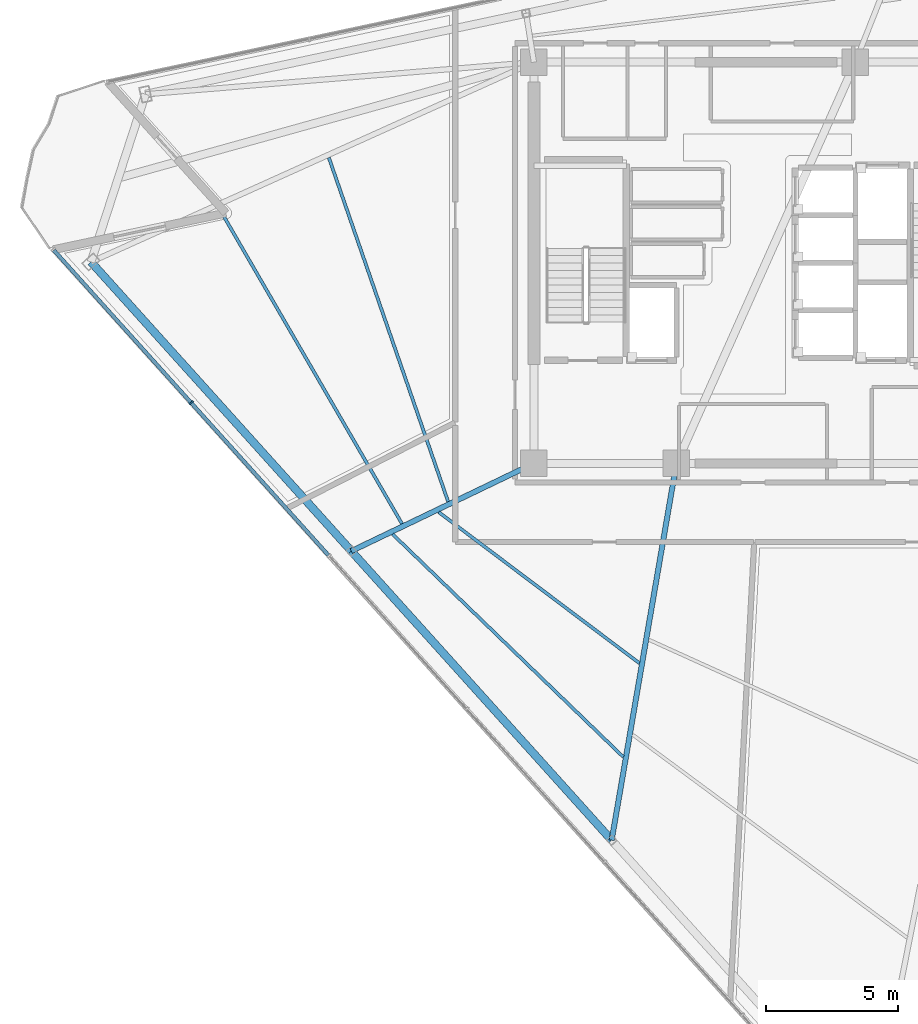
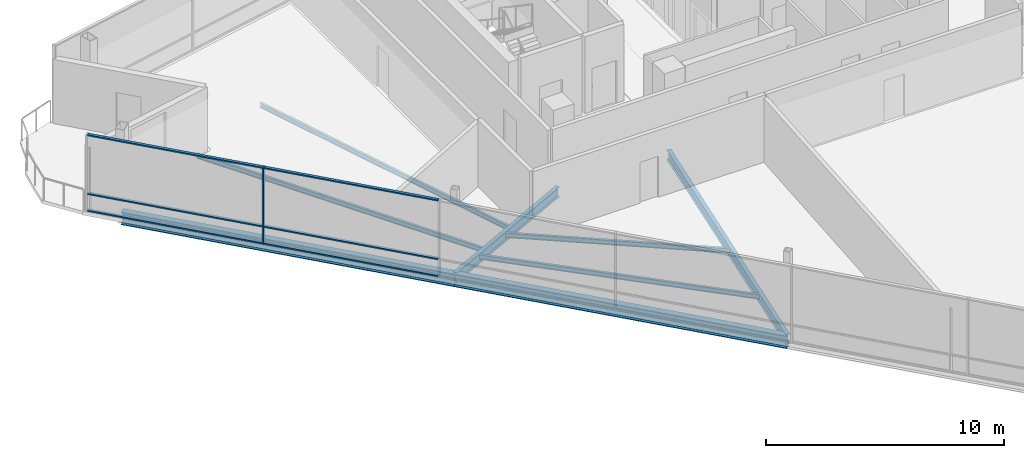
# One storey, part 4 of 17: 8 beams, 7 members, 1 element without a shape of its own.
"""IFC4 building model written with IfcOpenShell, lengths in metres."""

from ifc_helpers import new_model, si_unit, direction, frame, origin, origin_2d, place, context, subcontext, project, spatial, rectangle, i_section, extrude, material, layer, layer_set, material_profile, profile_set, type_object, element, aggregate, save


model = new_model("IFC4")

# Units and contexts
model_context = context("Model", 3, precision=1e-05, world=origin(), true_north=direction((0.0, 1.0)))
body_context = subcontext(model_context, "Body", "Model", "MODEL_VIEW")
ifc_project = project(units=[si_unit("LENGTHUNIT", "METRE"), si_unit("AREAUNIT", "SQUARE_METRE"), si_unit("VOLUMEUNIT", "CUBIC_METRE"), si_unit("PLANEANGLEUNIT", "RADIAN"), si_unit("MASSUNIT", "GRAM", prefix="KILO")], contexts=[model_context])

# Site, building, storey
site_placement = place(None, origin())
site = spatial("IfcSite", under=ifc_project, at=site_placement, CompositionType="ELEMENT")
building_placement = place(site_placement, origin())
building = spatial("IfcBuilding", under=site, at=building_placement, Name="Tharavind Bronze Gate", CompositionType="ELEMENT")
storey_placement = place(building_placement, frame((0.0, 0.0, 298.0)))
storey = spatial("IfcBuildingStorey", under=building, at=storey_placement, Name="L77", CompositionType="ELEMENT", Elevation=298.0)

# Curtain wall, members
ifc_material_1 = material(Name="Anodised Bronze Aluminium", Category="aluminium")
ifc_layer = layer(ifc_material_1, 0.219970703125)
ifc_layer_set = layer_set([ifc_layer], Name="Anodised Bronze Aluminium")
curtain_wall_type = type_object("IfcCurtainWallType", Name="UNITISED CURTAIN WALL CROWN", PredefinedType="USERDEFINED", material=ifc_layer_set)
curtain_wall_placement = place(storey_placement, origin())
curtain_wall = element("IfcCurtainWall", 1, at=curtain_wall_placement, inside=storey, type_object=curtain_wall_type, Name="L77 unitised curtain wall crown CW-L77-S1", ObjectType="UNITISED CURTAIN WALL", PredefinedType="USERDEFINED")
member_type_1 = type_object("IfcMemberType", Name="CURTAIN WALL BRONZE MULLION 65X180", PredefinedType="MULLION", material=ifc_material_1)
member_1_placement = place(storey_placement, frame((-21.88427734375, -5.30322265625, 0.0), z_axis=(0.0, 0.0, 1.0), x_axis=(0.669130606359, -0.743144825477, 0.0)))
member_1 = element("IfcMember", 2, at=member_1_placement, type_object=member_type_1, Name="CW-L77-S1 mullion 2", PredefinedType="MULLION", context=body_context, shape_type="SweptSolid", body=[
    extrude(rectangle(XDim=0.06494140625, YDim=0.179931640625, at=origin_2d()), origin(), (0.0, 0.0, 1.0), 3.949951171875),
])
member_type_2 = type_object("IfcMemberType", Name="CURTAIN WALL BRONZE TRANSOM 65X140", PredefinedType="USERDEFINED", material=ifc_material_1)
member_2_placement = place(storey_placement, frame((-24.494873046875, -2.404052734375, 0.0), z_axis=(0.0, 0.0, 1.0), x_axis=(0.669130606359, -0.743144825477, 0.0)))
member_2 = element("IfcMember", 3, at=member_2_placement, type_object=member_type_2, Name="CW-L77-S1 transom TB1", ObjectType="TRANSOM", PredefinedType="USERDEFINED", context=body_context, shape_type="SweptSolid", body=[
    extrude(rectangle(XDim=7.749755859375, YDim=0.139892578125, at=origin_2d()), origin(), (0.0, 0.0, 1.0), 0.06494140625),
])
member_3_placement = place(storey_placement, frame((-24.494873046875, -2.404052734375, 0.867431640625), z_axis=(0.0, 0.0, 1.0), x_axis=(0.669130606359, -0.743144825477, 0.0)))
member_3 = element("IfcMember", 4, at=member_3_placement, type_object=member_type_2, Name="CW-L77-S1 transom TS1", ObjectType="TRANSOM", PredefinedType="USERDEFINED", context=body_context, shape_type="SweptSolid", body=[
    extrude(rectangle(XDim=7.749755859375, YDim=0.139892578125, at=origin_2d()), origin(), (0.0, 0.0, 1.0), 0.06494140625),
])
member_4_placement = place(storey_placement, frame((-24.494873046875, -2.404052734375, 3.885009765625), z_axis=(0.0, 0.0, 1.0), x_axis=(0.669130606359, -0.743144825477, 0.0)))
member_4 = element("IfcMember", 5, at=member_4_placement, type_object=member_type_2, Name="CW-L77-S1 transom TT1", ObjectType="TRANSOM", PredefinedType="USERDEFINED", context=body_context, shape_type="SweptSolid", body=[
    extrude(rectangle(XDim=7.749755859375, YDim=0.139892578125, at=origin_2d()), origin(), (0.0, 0.0, 1.0), 0.06494140625),
])
member_5_placement = place(storey_placement, frame((-19.273681640625, -8.20263671875, 0.0), z_axis=(0.0, 0.0, 1.0), x_axis=(0.669130606359, -0.743144825477, 0.0)))
member_5 = element("IfcMember", 6, at=member_5_placement, type_object=member_type_2, Name="CW-L77-S1 transom TB2", ObjectType="TRANSOM", PredefinedType="USERDEFINED", context=body_context, shape_type="SweptSolid", body=[
    extrude(rectangle(XDim=7.749755859375, YDim=0.139892578125, at=origin_2d()), origin(), (0.0, 0.0, 1.0), 0.06494140625),
])
member_6_placement = place(storey_placement, frame((-19.273681640625, -8.20263671875, 0.867431640625), z_axis=(0.0, 0.0, 1.0), x_axis=(0.669130606359, -0.743144825477, 0.0)))
member_6 = element("IfcMember", 7, at=member_6_placement, type_object=member_type_2, Name="CW-L77-S1 transom TS2", ObjectType="TRANSOM", PredefinedType="USERDEFINED", context=body_context, shape_type="SweptSolid", body=[
    extrude(rectangle(XDim=7.749755859375, YDim=0.139892578125, at=origin_2d()), origin(), (0.0, 0.0, 1.0), 0.06494140625),
])
member_7_placement = place(storey_placement, frame((-19.273681640625, -8.20263671875, 3.885009765625), z_axis=(0.0, 0.0, 1.0), x_axis=(0.669130606359, -0.743144825477, 0.0)))
member_7 = element("IfcMember", 8, at=member_7_placement, type_object=member_type_2, Name="CW-L77-S1 transom TT2", ObjectType="TRANSOM", PredefinedType="USERDEFINED", context=body_context, shape_type="SweptSolid", body=[
    extrude(rectangle(XDim=7.749755859375, YDim=0.139892578125, at=origin_2d()), origin(), (0.0, 0.0, 1.0), 0.06494140625),
])
aggregate(curtain_wall, [member_1, member_2, member_3, member_4, member_5, member_6, member_7])

# Beams
ifc_material_2 = material(Name="Steel S355", Category="steel")
ifc_material_profile_1 = material_profile(ifc_material_2, i_section(OverallWidth=0.300048828125, OverallDepth=0.64990234375, WebThickness=0.01611328125, FlangeThickness=0.031005859375, at=origin_2d()), Name="HE650B")
ifc_profile_set_1 = profile_set([ifc_material_profile_1], Name="Steel S355")
beam_type_1 = type_object("IfcBeamType", Name="PRIMARY GIRDER HE650B", PredefinedType="USERDEFINED", material=ifc_profile_set_1)
beam_1_placement = place(storey_placement, frame((-25.6787109375, 0.03173828125, -0.52490234375), z_axis=(0.669125777788, -0.743149173113, 0.0), x_axis=(0.743149173113, 0.669125777788, 0.0)))
element("IfcBeam", 9, at=beam_1_placement, inside=storey, type_object=beam_type_1, Name="L77 primary girder he650b BM-L77-PRG01", ObjectType="GIRDER", PredefinedType="USERDEFINED", context=body_context, shape_type="SweptSolid", body=[
    extrude(i_section(OverallWidth=0.300048828125, OverallDepth=0.64990234375, WebThickness=0.01611328125, FlangeThickness=0.031005859375, at=origin_2d()), origin(), (0.0, 0.0, 1.0), 14.739501953125),
])
beam_2_placement = place(storey_placement, frame((-15.816162109375, -10.921875, -0.52490234375), z_axis=(0.669134014343, -0.7431417569, 0.0), x_axis=(0.7431417569, 0.669134014343, 0.0)))
element("IfcBeam", 10, at=beam_2_placement, inside=storey, type_object=beam_type_1, Name="L77 primary girder he650b BM-L77-PRG02", ObjectType="GIRDER", PredefinedType="USERDEFINED", context=body_context, shape_type="SweptSolid", body=[
    extrude(i_section(OverallWidth=0.300048828125, OverallDepth=0.64990234375, WebThickness=0.01611328125, FlangeThickness=0.031005859375, at=origin_2d()), origin(), (0.0, 0.0, 1.0), 14.7392578125),
])
ifc_material_profile_2 = material_profile(ifc_material_2, i_section(OverallWidth=0.199951171875, OverallDepth=0.5, WebThickness=0.01025390625, FlangeThickness=0.01611328125, at=origin_2d()), Name="IPE500")
ifc_profile_set_2 = profile_set([ifc_material_profile_2], Name="Steel S355")
beam_type_2 = type_object("IfcBeamType", Name="PRIMARY GIRDER IPE500", PredefinedType="USERDEFINED", material=ifc_profile_set_2)
beam_3_placement = place(storey_placement, frame((-15.816162109375, -10.921875, -0.449951171875), z_axis=(0.90142273265, 0.432940015547, 0.0), x_axis=(-0.432940015547, 0.90142273265, 0.0)))
element("IfcBeam", 11, at=beam_3_placement, inside=storey, type_object=beam_type_2, Name="L77 primary girder ipe500 BM-L77-RAD02", ObjectType="GIRDER", PredefinedType="USERDEFINED", context=body_context, shape_type="SweptSolid", body=[
    extrude(i_section(OverallWidth=0.199951171875, OverallDepth=0.5, WebThickness=0.01025390625, FlangeThickness=0.01611328125, at=origin_2d()), origin(), (0.0, 0.0, 1.0), 7.672607421875),
])
beam_4_placement = place(storey_placement, frame((-5.95361328125, -21.875244140625, -0.449951171875), z_axis=(0.169396075944, 0.985548055376, 0.0), x_axis=(-0.985548055376, 0.169396075944, 0.0)))
element("IfcBeam", 12, at=beam_4_placement, inside=storey, type_object=beam_type_2, Name="L77 primary girder ipe500 BM-L77-RAD03", ObjectType="GIRDER", PredefinedType="USERDEFINED", context=body_context, shape_type="SweptSolid", body=[
    extrude(i_section(OverallWidth=0.199951171875, OverallDepth=0.5, WebThickness=0.01025390625, FlangeThickness=0.01611328125, at=origin_2d()), origin(), (0.0, 0.0, 1.0), 14.484375),
])
ifc_material_profile_3 = material_profile(ifc_material_2, i_section(OverallWidth=0.1201171875, OverallDepth=0.239990234375, WebThickness=0.006103515625, FlangeThickness=0.009765625, at=origin_2d()), Name="IPE240")
ifc_profile_set_3 = profile_set([ifc_material_profile_3], Name="Steel S355")
beam_type_3 = type_object("IfcBeamType", Name="SECONDARY FLOOR JOIST IPE240", PredefinedType="JOIST", material=ifc_profile_set_3)
beam_5_placement = place(storey_placement, frame((-16.66796875, 3.982177734375, -0.320068359375), z_axis=(0.327619503862, -0.944809748409, 0.0), x_axis=(0.944809748409, 0.327619503862, 0.0)))
element("IfcBeam", 13, at=beam_5_placement, inside=storey, type_object=beam_type_3, Name="L77 secondary floor joist ipe240 BM-L77-JSTA01", PredefinedType="JOIST", context=body_context, shape_type="SweptSolid", body=[
    extrude(i_section(OverallWidth=0.1201171875, OverallDepth=0.239990234375, WebThickness=0.006103515625, FlangeThickness=0.009765625, at=origin_2d()), origin(), (0.0, 0.0, 1.0), 13.7890625),
])
beam_6_placement = place(storey_placement, frame((-20.84423828125, 2.09814453125, -0.320068359375), z_axis=(0.501531582807, -0.865139336435, 0.0), x_axis=(0.865139336435, 0.501531582807, 0.0)))
element("IfcBeam", 14, at=beam_6_placement, inside=storey, type_object=beam_type_3, Name="L77 secondary floor joist ipe240 BM-L77-JSTB01", PredefinedType="JOIST", context=body_context, shape_type="SweptSolid", body=[
    extrude(i_section(OverallWidth=0.1201171875, OverallDepth=0.239990234375, WebThickness=0.006103515625, FlangeThickness=0.009765625, at=origin_2d()), origin(), (0.0, 0.0, 1.0), 13.85107421875),
])
beam_7_placement = place(storey_placement, frame((-12.507080078125, -9.447265625, -0.320068359375), z_axis=(0.799041209175, -0.601276264325, 0.0), x_axis=(0.601276264325, 0.799041209175, 0.0)))
element("IfcBeam", 15, at=beam_7_placement, inside=storey, type_object=beam_type_3, Name="L77 secondary floor joist ipe240 BM-L77-JSTA02", PredefinedType="JOIST", context=body_context, shape_type="SweptSolid", body=[
    extrude(i_section(OverallWidth=0.1201171875, OverallDepth=0.239990234375, WebThickness=0.006103515625, FlangeThickness=0.009765625, at=origin_2d()), origin(), (0.0, 0.0, 1.0), 9.512939453125),
])
beam_8_placement = place(storey_placement, frame((-14.24951171875, -10.284423828125, -0.320068359375), z_axis=(0.719295778134, -0.694703953896, 0.0), x_axis=(0.694703953896, 0.719295778134, 0.0)))
element("IfcBeam", 16, at=beam_8_placement, inside=storey, type_object=beam_type_3, Name="L77 secondary floor joist ipe240 BM-L77-JSTB02", PredefinedType="JOIST", context=body_context, shape_type="SweptSolid", body=[
    extrude(i_section(OverallWidth=0.1201171875, OverallDepth=0.239990234375, WebThickness=0.006103515625, FlangeThickness=0.009765625, at=origin_2d()), origin(), (0.0, 0.0, 1.0), 12.1416015625),
])

save(model, "model.ifc")
